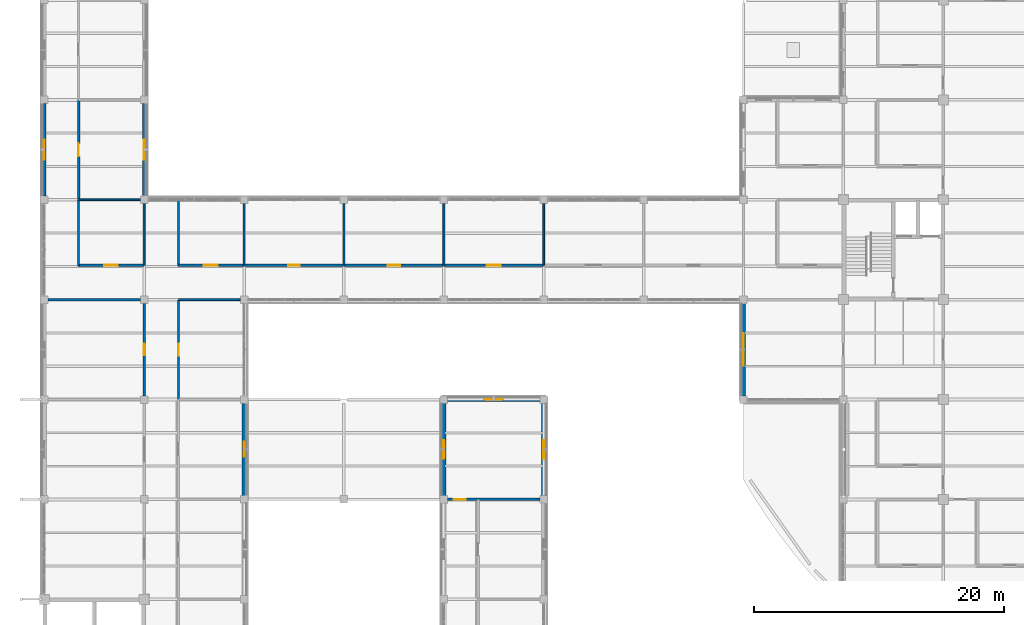
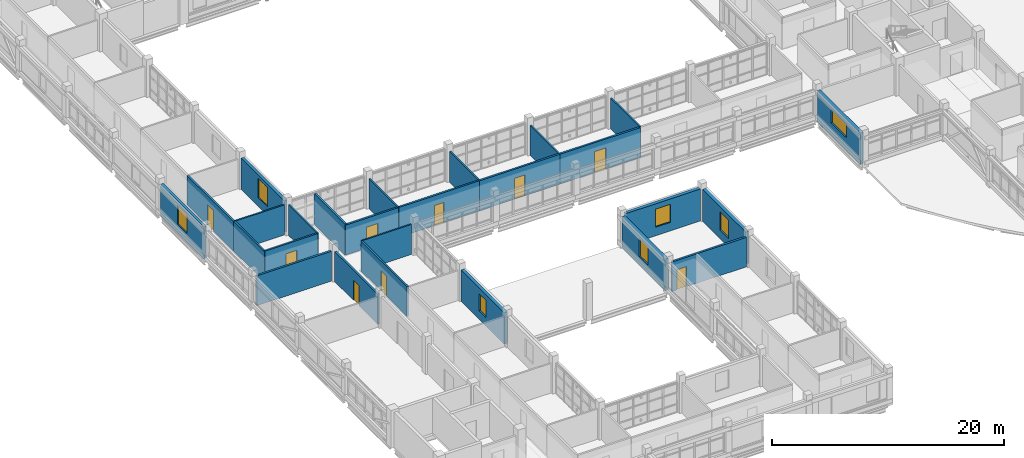
# One storey, part 89 of 126: 26 walls, 9 doors, 7 windows, 16 openings.
"""IFC4 building model written with IfcOpenShell, lengths in metres."""

from ifc_helpers import new_model, si_unit, derived_unit, direction, frame, frame_2d, origin, place, context, subcontext, project, spatial, rectangle, extrude, material, layer, layer_set, type_object, element, fill, save


model = new_model("IFC4")

# Units and contexts
model_context = context("Model", 3, precision=1e-05, world=origin(), true_north=direction((0.0, 1.0)))
body_context = subcontext(model_context, "Body", "Model", "MODEL_VIEW")
ifc_project = project(units=[si_unit("LENGTHUNIT", "METRE"), si_unit("AREAUNIT", "SQUARE_METRE"), si_unit("VOLUMEUNIT", "CUBIC_METRE"), si_unit("PLANEANGLEUNIT", "RADIAN"), si_unit("MASSUNIT", "GRAM", prefix="KILO"), derived_unit("THERMALTRANSMITTANCEUNIT", [(si_unit("MASSUNIT", "GRAM", prefix="KILO"), 1), (si_unit("TIMEUNIT", "SECOND"), -3), (si_unit("THERMODYNAMICTEMPERATUREUNIT", "KELVIN"), -1)])], contexts=[model_context])

# Site, building, storey
site_placement = place(None, origin())
site = spatial("IfcSite", under=ifc_project, at=site_placement, CompositionType="ELEMENT")
building_placement = place(site_placement, origin())
building = spatial("IfcBuilding", under=site, at=building_placement, Name="Veyamyaing Civic Hall", CompositionType="ELEMENT")
storey_placement = place(building_placement, frame((0.0, 0.0, 9.89990234375)))
storey = spatial("IfcBuildingStorey", under=building, at=storey_placement, Name="L02", CompositionType="ELEMENT", Elevation=9.89990234375)

# Wall, opening, window
ifc_material_1 = material(Name="Precast concrete C40/50", Category="concrete")
ifc_layer_1 = layer(ifc_material_1, 0.320068359375, Name="Precast concrete C40/50")
ifc_layer_set_1 = layer_set([ifc_layer_1], Name="Precast concrete C40/50")
wall_type_1 = type_object("IfcWallType", Name="WT-02", PredefinedType="SOLIDWALL", material=ifc_layer_set_1)
wall_1_placement = place(storey_placement, frame((16.0, 32.284912109375, 0.0), z_axis=(0.0, 0.0, 1.0), x_axis=(0.0, 1.0, 0.0)))
wall_1 = element("IfcWall", 1, at=wall_1_placement, inside=storey, type_object=wall_type_1, Name="Exterior facade wall WT-02 L02 E 2.5", PredefinedType="SOLIDWALL", context=body_context, shape_type="SweptSolid", body=[
    extrude(rectangle(XDim=7.43017578125, YDim=0.320068359375, at=frame_2d((3.715087890625, 0.0))), origin(), (0.0, 0.0, 1.0), 3.295166015625),
])
opening_1_placement = place(wall_1_placement, frame((3.114990234375, 0.0, 0.89990234375)))
opening_1 = element("IfcOpeningElement", 2, at=opening_1_placement, cuts=wall_1, Name="Opening W-14", PredefinedType="OPENING", context=body_context, shape_type="SweptSolid", body=[
    extrude(rectangle(XDim=1.199951171875, YDim=1.800048828125, at=frame_2d((0.60009765625, 0.89990234375))), frame((0.0, 0.169921875, 0.0), z_axis=(0.0, -1.0, 0.0), x_axis=(1.0, 0.0, 0.0)), (0.0, 0.0, 1.0), 0.340087890625),
])
ifc_material_2 = material(Name="Low-E insulated glass", Category="glass")
window_type_1 = type_object("IfcWindowType", Name="W-14", PartitioningType="SINGLE_PANEL", PredefinedType="WINDOW", material=ifc_material_2)
window_1_placement = place(opening_1_placement, origin())
window_1 = element("IfcWindow", 3, at=window_1_placement, inside=storey, type_object=window_type_1, Name="Facade window W-14 L02 E 2.5", OverallHeight=1.800048828125, OverallWidth=1.199951171875, PartitioningType="SINGLE_PANEL", PredefinedType="WINDOW", context=body_context, shape_type="SweptSolid", body=[
    extrude(rectangle(XDim=1.199951171875, YDim=1.800048828125, at=frame_2d((0.60009765625, 0.89990234375))), frame((0.0, 0.030029296875, 0.0), z_axis=(0.0, -1.0, 0.0), x_axis=(1.0, 0.0, 0.0)), (0.0, 0.0, 1.0), 0.06005859375),
])
fill(opening_1, window_1)

wall_2_placement = place(storey_placement, frame((32.284912109375, 40.0, 0.0), z_axis=(0.0, 0.0, 1.0), x_axis=(1.0, 0.0, 0.0)))
wall_2 = element("IfcWall", 4, at=wall_2_placement, inside=storey, type_object=wall_type_1, Name="Exterior facade wall WT-02 L02 N 5.5", PredefinedType="SOLIDWALL", context=body_context, shape_type="SweptSolid", body=[
    extrude(rectangle(XDim=7.43017578125, YDim=0.320068359375, at=frame_2d((3.715087890625, 0.0))), origin(), (0.0, 0.0, 1.0), 3.362060546875),
])
opening_2_placement = place(wall_2_placement, frame((2.965087890625, 0.0, 0.89990234375)))
opening_2 = element("IfcOpeningElement", 5, at=opening_2_placement, cuts=wall_2, Name="Opening W-12", PredefinedType="OPENING", context=body_context, shape_type="SweptSolid", body=[
    extrude(rectangle(XDim=1.5, YDim=1.89990234375, at=frame_2d((0.75, 0.949951171875))), frame((0.0, 0.169921875, 0.0), z_axis=(0.0, -1.0, 0.0), x_axis=(1.0, 0.0, 0.0)), (0.0, 0.0, 1.0), 0.340087890625),
])
window_type_2 = type_object("IfcWindowType", Name="W-12", PartitioningType="SINGLE_PANEL", PredefinedType="WINDOW", material=ifc_material_2)
window_2_placement = place(opening_2_placement, origin())
window_2 = element("IfcWindow", 6, at=window_2_placement, inside=storey, type_object=window_type_2, Name="Facade window W-12 L02 N 5.5", OverallHeight=1.89990234375, OverallWidth=1.5, PartitioningType="SINGLE_PANEL", PredefinedType="WINDOW", context=body_context, shape_type="SweptSolid", body=[
    extrude(rectangle(XDim=1.5, YDim=1.89990234375, at=frame_2d((0.75, 0.949951171875))), frame((0.0, 0.030029296875, 0.0), z_axis=(0.0, -1.0, 0.0), x_axis=(1.0, 0.0, 0.0)), (0.0, 0.0, 1.0), 0.06005859375),
])
fill(opening_2, window_2)

wall_3_placement = place(storey_placement, frame((32.0, 32.284912109375, 0.0), z_axis=(0.0, 0.0, 1.0), x_axis=(0.0, 1.0, 0.0)))
wall_3 = element("IfcWall", 7, at=wall_3_placement, inside=storey, type_object=wall_type_1, Name="Exterior facade wall WT-02 L02 W 5.5", PredefinedType="SOLIDWALL", context=body_context, shape_type="SweptSolid", body=[
    extrude(rectangle(XDim=7.43017578125, YDim=0.320068359375, at=frame_2d((3.715087890625, 0.0))), origin(), (0.0, 0.0, 1.0), 3.299072265625),
])
opening_3_placement = place(wall_3_placement, frame((2.965087890625, 0.0, 0.89990234375)))
opening_3 = element("IfcOpeningElement", 8, at=opening_3_placement, cuts=wall_3, Name="Opening W-12", PredefinedType="OPENING", context=body_context, shape_type="SweptSolid", body=[
    extrude(rectangle(XDim=1.5, YDim=1.89990234375, at=frame_2d((0.75, 0.949951171875))), frame((0.0, 0.169921875, 0.0), z_axis=(0.0, -1.0, 0.0), x_axis=(1.0, 0.0, 0.0)), (0.0, 0.0, 1.0), 0.340087890625),
])
window_3_placement = place(opening_3_placement, origin())
window_3 = element("IfcWindow", 9, at=window_3_placement, inside=storey, type_object=window_type_2, Name="Facade window W-12 L02 W 5.5", OverallHeight=1.89990234375, OverallWidth=1.5, PartitioningType="SINGLE_PANEL", PredefinedType="WINDOW", context=body_context, shape_type="SweptSolid", body=[
    extrude(rectangle(XDim=1.5, YDim=1.89990234375, at=frame_2d((0.75, 0.949951171875))), frame((0.0, 0.030029296875, 0.0), z_axis=(0.0, -1.0, 0.0), x_axis=(1.0, 0.0, 0.0)), (0.0, 0.0, 1.0), 0.06005859375),
])
fill(opening_3, window_3)

wall_4_placement = place(storey_placement, frame((40.0, 32.284912109375, 0.0), z_axis=(0.0, 0.0, 1.0), x_axis=(0.0, 1.0, 0.0)))
wall_4 = element("IfcWall", 10, at=wall_4_placement, inside=storey, type_object=wall_type_1, Name="Exterior facade wall WT-02 L02 E 5.5", PredefinedType="SOLIDWALL", context=body_context, shape_type="SweptSolid", body=[
    extrude(rectangle(XDim=7.43017578125, YDim=0.320068359375, at=frame_2d((3.715087890625, 0.0))), origin(), (0.0, 0.0, 1.0), 3.362060546875),
])
opening_4_placement = place(wall_4_placement, frame((2.965087890625, 0.0, 0.89990234375)))
opening_4 = element("IfcOpeningElement", 11, at=opening_4_placement, cuts=wall_4, Name="Opening W-12", PredefinedType="OPENING", context=body_context, shape_type="SweptSolid", body=[
    extrude(rectangle(XDim=1.5, YDim=1.89990234375, at=frame_2d((0.75, 0.949951171875))), frame((0.0, 0.169921875, 0.0), z_axis=(0.0, -1.0, 0.0), x_axis=(1.0, 0.0, 0.0)), (0.0, 0.0, 1.0), 0.340087890625),
])
window_4_placement = place(opening_4_placement, origin())
window_4 = element("IfcWindow", 12, at=window_4_placement, inside=storey, type_object=window_type_2, Name="Facade window W-12 L02 E 5.5", OverallHeight=1.89990234375, OverallWidth=1.5, PartitioningType="SINGLE_PANEL", PredefinedType="WINDOW", context=body_context, shape_type="SweptSolid", body=[
    extrude(rectangle(XDim=1.5, YDim=1.89990234375, at=frame_2d((0.75, 0.949951171875))), frame((0.0, 0.030029296875, 0.0), z_axis=(0.0, -1.0, 0.0), x_axis=(1.0, 0.0, 0.0)), (0.0, 0.0, 1.0), 0.06005859375),
])
fill(opening_4, window_4)

ifc_layer_2 = layer(ifc_material_1, 0.304931640625, Name="Precast concrete C40/50")
ifc_layer_set_2 = layer_set([ifc_layer_2], Name="Precast concrete C40/50")
wall_type_2 = type_object("IfcWallType", Name="WT-03", PredefinedType="SOLIDWALL", material=ifc_layer_set_2)
wall_5_placement = place(storey_placement, frame((56.0, 40.284912109375, 0.0), z_axis=(0.0, 0.0, 1.0), x_axis=(0.0, 1.0, 0.0)))
wall_5 = element("IfcWall", 13, at=wall_5_placement, inside=storey, type_object=wall_type_2, Name="Exterior facade wall WT-03 L02 W 8.6", PredefinedType="SOLIDWALL", context=body_context, shape_type="SweptSolid", body=[
    extrude(rectangle(XDim=7.43017578125, YDim=0.304931640625, at=frame_2d((3.715087890625, 0.0))), origin(), (0.0, 0.0, 1.0), 3.2841796875),
])
opening_5_placement = place(wall_5_placement, frame((2.4150390625, 0.0, 1.35009765625)))
opening_5 = element("IfcOpeningElement", 14, at=opening_5_placement, cuts=wall_5, Name="Opening W-17", PredefinedType="OPENING", context=body_context, shape_type="SweptSolid", body=[
    extrude(rectangle(XDim=2.60009765625, YDim=1.39990234375, at=frame_2d((1.300048828125, 0.699951171875))), frame((0.0, 0.162353515625, 0.0), z_axis=(0.0, -1.0, 0.0), x_axis=(1.0, 0.0, 0.0)), (0.0, 0.0, 1.0), 0.324951171875),
])
window_type_3 = type_object("IfcWindowType", Name="W-17", PartitioningType="SINGLE_PANEL", PredefinedType="WINDOW", material=ifc_material_2)
window_5_placement = place(opening_5_placement, origin())
window_5 = element("IfcWindow", 15, at=window_5_placement, inside=storey, type_object=window_type_3, Name="Facade window W-17 L02 W 8.6", OverallHeight=1.39990234375, OverallWidth=2.60009765625, PartitioningType="SINGLE_PANEL", PredefinedType="WINDOW", context=body_context, shape_type="SweptSolid", body=[
    extrude(rectangle(XDim=2.60009765625, YDim=1.39990234375, at=frame_2d((1.300048828125, 0.699951171875))), frame((0.0, 0.030029296875, 0.0), z_axis=(0.0, -1.0, 0.0), x_axis=(1.0, 0.0, 0.0)), (0.0, 0.0, 1.0), 0.06005859375),
])
fill(opening_5, window_5)

ifc_layer_3 = layer(ifc_material_1, 0.280029296875, Name="Precast concrete C40/50")
ifc_layer_set_3 = layer_set([ifc_layer_3], Name="Precast concrete C40/50")
wall_type_3 = type_object("IfcWallType", Name="WT-04", PredefinedType="SOLIDWALL", material=ifc_layer_set_3)
wall_6_placement = place(storey_placement, frame((0.0, 56.284912109375, 0.0), z_axis=(0.0, 0.0, 1.0), x_axis=(0.0, 1.0, 0.0)))
wall_6 = element("IfcWall", 16, at=wall_6_placement, inside=storey, type_object=wall_type_3, Name="Exterior facade wall WT-04 L02 W 1.8", PredefinedType="SOLIDWALL", context=body_context, shape_type="SweptSolid", body=[
    extrude(rectangle(XDim=7.43017578125, YDim=0.280029296875, at=frame_2d((3.715087890625, 0.0))), origin(), (0.0, 0.0, 1.0), 3.343994140625),
])
opening_6_placement = place(wall_6_placement, frame((2.9150390625, 0.0, 0.89990234375)))
opening_6 = element("IfcOpeningElement", 17, at=opening_6_placement, cuts=wall_6, Name="Opening W-11", PredefinedType="OPENING", context=body_context, shape_type="SweptSolid", body=[
    extrude(rectangle(XDim=1.60009765625, YDim=2.0, at=frame_2d((0.800048828125, 1.0))), frame((0.0, 0.14990234375, 0.0), z_axis=(0.0, -1.0, 0.0), x_axis=(1.0, 0.0, 0.0)), (0.0, 0.0, 1.0), 0.300048828125),
])
window_type_4 = type_object("IfcWindowType", Name="W-11", PartitioningType="SINGLE_PANEL", PredefinedType="WINDOW", material=ifc_material_2)
window_6_placement = place(opening_6_placement, origin())
window_6 = element("IfcWindow", 18, at=window_6_placement, inside=storey, type_object=window_type_4, Name="Facade window W-11 L02 W 1.8", OverallHeight=2.0, OverallWidth=1.60009765625, PartitioningType="SINGLE_PANEL", PredefinedType="WINDOW", context=body_context, shape_type="SweptSolid", body=[
    extrude(rectangle(XDim=1.60009765625, YDim=2.0, at=frame_2d((0.800048828125, 1.0))), frame((0.0, 0.030029296875, 0.0), z_axis=(0.0, -1.0, 0.0), x_axis=(1.0, 0.0, 0.0)), (0.0, 0.0, 1.0), 0.06005859375),
])
fill(opening_6, window_6)

wall_7_placement = place(storey_placement, frame((8.0, 56.284912109375, 0.0), z_axis=(0.0, 0.0, 1.0), x_axis=(0.0, 1.0, 0.0)))
wall_7 = element("IfcWall", 19, at=wall_7_placement, inside=storey, type_object=wall_type_3, Name="Exterior facade wall WT-04 L02 E 1.8", PredefinedType="SOLIDWALL", context=body_context, shape_type="SweptSolid", body=[
    extrude(rectangle(XDim=7.43017578125, YDim=0.280029296875, at=frame_2d((3.715087890625, 0.0))), origin(), (0.0, 0.0, 1.0), 3.2841796875),
])
opening_7_placement = place(wall_7_placement, frame((2.9150390625, 0.0, 0.89990234375)))
opening_7 = element("IfcOpeningElement", 20, at=opening_7_placement, cuts=wall_7, Name="Opening W-11", PredefinedType="OPENING", context=body_context, shape_type="SweptSolid", body=[
    extrude(rectangle(XDim=1.60009765625, YDim=2.0, at=frame_2d((0.800048828125, 1.0))), frame((0.0, 0.14990234375, 0.0), z_axis=(0.0, -1.0, 0.0), x_axis=(1.0, 0.0, 0.0)), (0.0, 0.0, 1.0), 0.300048828125),
])
window_7_placement = place(opening_7_placement, origin())
window_7 = element("IfcWindow", 21, at=window_7_placement, inside=storey, type_object=window_type_4, Name="Facade window W-11 L02 E 1.8", OverallHeight=2.0, OverallWidth=1.60009765625, PartitioningType="SINGLE_PANEL", PredefinedType="WINDOW", context=body_context, shape_type="SweptSolid", body=[
    extrude(rectangle(XDim=1.60009765625, YDim=2.0, at=frame_2d((0.800048828125, 1.0))), frame((0.0, 0.030029296875, 0.0), z_axis=(0.0, -1.0, 0.0), x_axis=(1.0, 0.0, 0.0)), (0.0, 0.0, 1.0), 0.06005859375),
])
fill(opening_7, window_7)

# Wall, opening, door
ifc_material_3 = material(Name="Concrete C40/50", Category="concrete")
ifc_layer_4 = layer(ifc_material_3, 0.199951171875, Name="Concrete C40/50")
ifc_layer_set_4 = layer_set([ifc_layer_4], Name="Concrete C40/50")
wall_type_4 = type_object("IfcWallType", Name="WT-06", PredefinedType="PARTITIONING", material=ifc_layer_set_4)
wall_8_placement = place(storey_placement, frame((8.0, 40.2900390625, 0.0), z_axis=(0.0, 0.0, 1.0), x_axis=(0.0, 1.0, 0.0)))
wall_8 = element("IfcWall", 22, at=wall_8_placement, inside=storey, type_object=wall_type_4, Name="Interior partition wall WT-06 L02.6", PredefinedType="PARTITIONING", context=body_context, shape_type="SweptSolid", body=[
    extrude(rectangle(XDim=7.419921875, YDim=0.199951171875, at=frame_2d((3.7099609375, 0.0))), origin(), (0.0, 0.0, 1.0), 3.151123046875),
])
opening_8_placement = place(wall_8_placement, frame((3.239990234375, 0.0, 0.0)))
opening_8 = element("IfcOpeningElement", 23, at=opening_8_placement, cuts=wall_8, Name="Opening D-30", PredefinedType="OPENING", context=body_context, shape_type="SweptSolid", body=[
    extrude(rectangle(XDim=0.93994140625, YDim=2.1201171875, at=frame_2d((0.469970703125, 1.06005859375))), frame((0.0, 0.10986328125, 0.0), z_axis=(0.0, -1.0, 0.0), x_axis=(1.0, 0.0, 0.0)), (0.0, 0.0, 1.0), 0.219970703125),
])
ifc_material_4 = material(Name="Teak-veneered acoustic timber", Category="wood")
door_type_1 = type_object("IfcDoorType", Name="D-30", OperationType="NOTDEFINED", PredefinedType="DOOR", material=ifc_material_4)
door_1_placement = place(opening_8_placement, origin())
door_1 = element("IfcDoor", 24, at=door_1_placement, inside=storey, type_object=door_type_1, Name="Interior door D-30 L02.6", OperationType="SINGLE_SWING_RIGHT", OverallHeight=2.1201171875, OverallWidth=0.93994140625, PredefinedType="DOOR", context=body_context, shape_type="SweptSolid", body=[
    extrude(rectangle(XDim=0.93994140625, YDim=2.1201171875, at=frame_2d((0.469970703125, 1.06005859375))), frame((0.0, 0.02490234375, 0.0), z_axis=(0.0, -1.0, 0.0), x_axis=(1.0, 0.0, 0.0)), (0.0, 0.0, 1.0), 0.050048828125),
])
fill(opening_8, door_1)

# Wall
wall_9_placement = place(storey_placement, frame((0.2900390625, 48.0, 0.0), z_axis=(0.0, 0.0, 1.0), x_axis=(1.0, 0.0, 0.0)))
element("IfcWall", 25, at=wall_9_placement, inside=storey, type_object=wall_type_4, Name="Interior partition wall WT-06 L02.7", PredefinedType="PARTITIONING", context=body_context, shape_type="SweptSolid", body=[
    extrude(rectangle(XDim=7.419921875, YDim=0.199951171875, at=frame_2d((3.7099609375, 0.0))), origin(), (0.0, 0.0, 1.0), 3.14111328125),
])

# Wall, opening, door
wall_10_placement = place(storey_placement, frame((32.2900390625, 32.0, 0.0), z_axis=(0.0, 0.0, 1.0), x_axis=(1.0, 0.0, 0.0)))
wall_10 = element("IfcWall", 26, at=wall_10_placement, inside=storey, type_object=wall_type_4, Name="Interior partition wall WT-06 L02.18", PredefinedType="PARTITIONING", context=body_context, shape_type="SweptSolid", body=[
    extrude(rectangle(XDim=7.419921875, YDim=0.199951171875, at=frame_2d((3.7099609375, 0.0))), origin(), (0.0, 0.0, 1.0), 3.09716796875),
])
opening_9_placement = place(wall_10_placement, frame((0.52001953125, 0.0, 0.0)))
opening_9 = element("IfcOpeningElement", 27, at=opening_9_placement, cuts=wall_10, Name="Opening D-30", PredefinedType="OPENING", context=body_context, shape_type="SweptSolid", body=[
    extrude(rectangle(XDim=0.93994140625, YDim=2.1201171875, at=frame_2d((0.469970703125, 1.06005859375))), frame((0.0, 0.10986328125, 0.0), z_axis=(0.0, -1.0, 0.0), x_axis=(1.0, 0.0, 0.0)), (0.0, 0.0, 1.0), 0.219970703125),
])
door_2_placement = place(opening_9_placement, origin())
door_2 = element("IfcDoor", 28, at=door_2_placement, inside=storey, type_object=door_type_1, Name="Interior door D-30 L02.18", OperationType="SINGLE_SWING_RIGHT", OverallHeight=2.1201171875, OverallWidth=0.93994140625, PredefinedType="DOOR", context=body_context, shape_type="SweptSolid", body=[
    extrude(rectangle(XDim=0.93994140625, YDim=2.1201171875, at=frame_2d((0.469970703125, 1.06005859375))), frame((0.0, 0.02490234375, 0.0), z_axis=(0.0, -1.0, 0.0), x_axis=(1.0, 0.0, 0.0)), (0.0, 0.0, 1.0), 0.050048828125),
])
fill(opening_9, door_2)

ifc_material_5 = material(Name="Gypsum board on acoustic steel stud", Category="steel")
ifc_layer_5 = layer(ifc_material_5, 0.175048828125, Name="Gypsum board on acoustic steel stud")
ifc_layer_set_5 = layer_set([ifc_layer_5], Name="Gypsum board on acoustic steel stud")
wall_type_5 = type_object("IfcWallType", Name="WT-07", PredefinedType="PARTITIONING", material=ifc_layer_set_5)
wall_11_placement = place(storey_placement, frame((2.699951171875, 50.75, 0.0), z_axis=(0.0, 0.0, 1.0), x_axis=(1.0, 0.0, 0.0)))
wall_11 = element("IfcWall", 29, at=wall_11_placement, inside=storey, type_object=wall_type_5, Name="Corridor gallery partition WT-07 L02.1.1", PredefinedType="PARTITIONING", context=body_context, shape_type="SweptSolid", body=[
    extrude(rectangle(XDim=5.280029296875, YDim=0.175048828125, at=frame_2d((2.64013671875, 0.0))), origin(), (0.0, 0.0, 1.0), 3.22119140625),
])
opening_10_placement = place(wall_11_placement, frame((2.10009765625, 0.0, 0.0)))
opening_10 = element("IfcOpeningElement", 30, at=opening_10_placement, cuts=wall_11, Name="Opening D-23", PredefinedType="OPENING", context=body_context, shape_type="SweptSolid", body=[
    extrude(rectangle(XDim=1.080078125, YDim=2.199951171875, at=frame_2d((0.5400390625, 1.10009765625))), frame((0.0, 0.097412109375, 0.0), z_axis=(0.0, -1.0, 0.0), x_axis=(1.0, 0.0, 0.0)), (0.0, 0.0, 1.0), 0.195068359375),
])
door_type_2 = type_object("IfcDoorType", Name="D-23", OperationType="NOTDEFINED", PredefinedType="DOOR", material=ifc_material_4)
door_3_placement = place(opening_10_placement, origin())
door_3 = element("IfcDoor", 31, at=door_3_placement, inside=storey, type_object=door_type_2, Name="Gallery office door D-23 L02.1", OperationType="SINGLE_SWING_LEFT", OverallHeight=2.199951171875, OverallWidth=1.080078125, PredefinedType="DOOR", context=body_context, shape_type="SweptSolid", body=[
    extrude(rectangle(XDim=1.080078125, YDim=2.199951171875, at=frame_2d((0.5400390625, 1.10009765625))), frame((0.0, 0.02490234375, 0.0), z_axis=(0.0, -1.0, 0.0), x_axis=(1.0, 0.0, 0.0)), (0.0, 0.0, 1.0), 0.050048828125),
])
fill(opening_10, door_3)

# Wall
wall_12_placement = place(storey_placement, frame((2.75, 50.699951171875, 0.0), z_axis=(0.0, 0.0, 1.0), x_axis=(0.0, 1.0, 0.0)))
element("IfcWall", 32, at=wall_12_placement, inside=storey, type_object=wall_type_5, Name="Corridor gallery partition WT-07 L02.1.2", PredefinedType="PARTITIONING", context=body_context, shape_type="SweptSolid", body=[
    extrude(rectangle(XDim=5.280029296875, YDim=0.175048828125, at=frame_2d((2.64013671875, 0.0))), origin(), (0.0, 0.0, 1.0), 3.151123046875),
])

# Wall, opening, door
wall_13_placement = place(storey_placement, frame((10.75, 40.02001953125, 0.0), z_axis=(0.0, 0.0, 1.0), x_axis=(0.0, 1.0, 0.0)))
wall_13 = element("IfcWall", 33, at=wall_13_placement, inside=storey, type_object=wall_type_5, Name="Corridor gallery partition WT-07 L02.13.1", PredefinedType="PARTITIONING", context=body_context, shape_type="SweptSolid", body=[
    extrude(rectangle(XDim=7.9599609375, YDim=0.175048828125, at=frame_2d((3.97998046875, 0.0))), origin(), (0.0, 0.0, 1.0), 3.14111328125),
])
opening_11_placement = place(wall_13_placement, frame((3.5, 0.0, 0.0)))
opening_11 = element("IfcOpeningElement", 34, at=opening_11_placement, cuts=wall_13, Name="Opening D-25", PredefinedType="OPENING", context=body_context, shape_type="SweptSolid", body=[
    extrude(rectangle(XDim=0.9599609375, YDim=2.139892578125, at=frame_2d((0.47998046875, 1.06982421875))), frame((0.0, 0.097412109375, 0.0), z_axis=(0.0, -1.0, 0.0), x_axis=(1.0, 0.0, 0.0)), (0.0, 0.0, 1.0), 0.195068359375),
])
door_type_3 = type_object("IfcDoorType", Name="D-25", OperationType="NOTDEFINED", PredefinedType="DOOR", material=ifc_material_4)
door_4_placement = place(opening_11_placement, frame((0.9599609375, 0.0, 0.0), z_axis=(0.0, 0.0, 1.0), x_axis=(-1.0, 0.0, 0.0)))
door_4 = element("IfcDoor", 35, at=door_4_placement, inside=storey, type_object=door_type_3, Name="Gallery office door D-25 L02.13", OperationType="SINGLE_SWING_LEFT", OverallHeight=2.139892578125, OverallWidth=0.9599609375, PredefinedType="DOOR", context=body_context, shape_type="SweptSolid", body=[
    extrude(rectangle(XDim=0.9599609375, YDim=2.139892578125, at=frame_2d((0.47998046875, 1.06982421875))), frame((0.0, 0.02490234375, 0.0), z_axis=(0.0, -1.0, 0.0), x_axis=(1.0, 0.0, 0.0)), (0.0, 0.0, 1.0), 0.050048828125),
])
fill(opening_11, door_4)

# Walls
ifc_material_6 = material(Name="Gypsum board on steel stud", Category="steel")
ifc_layer_6 = layer(ifc_material_6, 0.14990234375, Name="Gypsum board on steel stud")
ifc_layer_set_6 = layer_set([ifc_layer_6], Name="Gypsum board on steel stud")
wall_type_6 = type_object("IfcWallType", Name="WT-08", PredefinedType="PARTITIONING", material=ifc_layer_set_6)
wall_14_placement = place(storey_placement, frame((2.75, 56.0, 0.0), z_axis=(0.0, 0.0, 1.0), x_axis=(1.0, 0.0, 0.0)))
element("IfcWall", 36, at=wall_14_placement, inside=storey, type_object=wall_type_6, Name="Gallery office end partition WT-08 L02.1.1", PredefinedType="PARTITIONING", context=body_context, shape_type="SweptSolid", body=[
    extrude(rectangle(XDim=4.93994140625, YDim=0.14990234375, at=frame_2d((2.469970703125, 0.0))), origin(), (0.0, 0.0, 1.0), 3.151123046875),
])
wall_15_placement = place(storey_placement, frame((8.0, 50.75, 0.0), z_axis=(0.0, 0.0, 1.0), x_axis=(0.0, 1.0, 0.0)))
element("IfcWall", 37, at=wall_15_placement, inside=storey, type_object=wall_type_6, Name="Gallery office end partition WT-08 L02.1.2", PredefinedType="PARTITIONING", context=body_context, shape_type="SweptSolid", body=[
    extrude(rectangle(XDim=4.93994140625, YDim=0.14990234375, at=frame_2d((2.469970703125, 0.0))), origin(), (0.0, 0.0, 1.0), 3.22119140625),
])
wall_16_placement = place(storey_placement, frame((10.75, 48.0, 0.0), z_axis=(0.0, 0.0, 1.0), x_axis=(1.0, 0.0, 0.0)))
element("IfcWall", 38, at=wall_16_placement, inside=storey, type_object=wall_type_6, Name="Gallery office end partition WT-08 L02.13.2", PredefinedType="PARTITIONING", context=body_context, shape_type="SweptSolid", body=[
    extrude(rectangle(XDim=4.93994140625, YDim=0.14990234375, at=frame_2d((2.469970703125, 0.0))), origin(), (0.0, 0.0, 1.0), 3.151123046875),
])
wall_17_placement = place(storey_placement, frame((16.0, 50.75, 0.0), z_axis=(0.0, 0.0, 1.0), x_axis=(0.0, 1.0, 0.0)))
element("IfcWall", 39, at=wall_17_placement, inside=storey, type_object=wall_type_6, Name="Gallery office end partition WT-08 L02.14.2", PredefinedType="PARTITIONING", context=body_context, shape_type="SweptSolid", body=[
    extrude(rectangle(XDim=4.93994140625, YDim=0.14990234375, at=frame_2d((2.469970703125, 0.0))), origin(), (0.0, 0.0, 1.0), 3.156982421875),
])
wall_18_placement = place(storey_placement, frame((24.0, 50.75, 0.0), z_axis=(0.0, 0.0, 1.0), x_axis=(0.0, 1.0, 0.0)))
element("IfcWall", 40, at=wall_18_placement, inside=storey, type_object=wall_type_6, Name="Gallery office end partition WT-08 L02.16.2", PredefinedType="PARTITIONING", context=body_context, shape_type="SweptSolid", body=[
    extrude(rectangle(XDim=4.93994140625, YDim=0.14990234375, at=frame_2d((2.469970703125, 0.0))), origin(), (0.0, 0.0, 1.0), 3.22705078125),
])
wall_19_placement = place(storey_placement, frame((32.0, 50.75, 0.0), z_axis=(0.0, 0.0, 1.0), x_axis=(0.0, 1.0, 0.0)))
element("IfcWall", 41, at=wall_19_placement, inside=storey, type_object=wall_type_6, Name="Gallery office end partition WT-08 L02.20.2", PredefinedType="PARTITIONING", context=body_context, shape_type="SweptSolid", body=[
    extrude(rectangle(XDim=4.93994140625, YDim=0.14990234375, at=frame_2d((2.469970703125, 0.0))), origin(), (0.0, 0.0, 1.0), 3.151123046875),
])
wall_20_placement = place(storey_placement, frame((40.0, 50.75, 0.0), z_axis=(0.0, 0.0, 1.0), x_axis=(0.0, 1.0, 0.0)))
element("IfcWall", 42, at=wall_20_placement, inside=storey, type_object=wall_type_6, Name="Gallery office end partition WT-08 L02.24.2", PredefinedType="PARTITIONING", context=body_context, shape_type="SweptSolid", body=[
    extrude(rectangle(XDim=4.93994140625, YDim=0.14990234375, at=frame_2d((2.469970703125, 0.0))), origin(), (0.0, 0.0, 1.0), 3.22119140625),
])

# Wall, opening, door
ifc_material_7 = material(Name="Gypsum board on double acoustic stud")
ifc_layer_7 = layer(ifc_material_7, 0.18505859375, Name="Gypsum board on double acoustic stud")
ifc_layer_set_7 = layer_set([ifc_layer_7], Name="Gypsum board on double acoustic stud")
wall_type_7 = type_object("IfcWallType", Name="WT-19", PredefinedType="PARTITIONING", material=ifc_layer_set_7)
wall_21_placement = place(storey_placement, frame((2.75, 56.02001953125, 0.0), z_axis=(0.0, 0.0, 1.0), x_axis=(0.0, 1.0, 0.0)))
wall_21 = element("IfcWall", 43, at=wall_21_placement, inside=storey, type_object=wall_type_7, Name="Corridor gallery partition WT-19 L02.2.1", PredefinedType="PARTITIONING", context=body_context, shape_type="SweptSolid", body=[
    extrude(rectangle(XDim=7.9599609375, YDim=0.18505859375, at=frame_2d((3.97998046875, 0.0))), origin(), (0.0, 0.0, 1.0), 3.08203125),
])
opening_12_placement = place(wall_21_placement, frame((3.4599609375, 0.0, 0.0)))
opening_12 = element("IfcOpeningElement", 44, at=opening_12_placement, cuts=wall_21, Name="Opening D-24", PredefinedType="OPENING", context=body_context, shape_type="SweptSolid", body=[
    extrude(rectangle(XDim=1.0400390625, YDim=2.179931640625, at=frame_2d((0.52001953125, 1.08984375))), frame((0.0, 0.1025390625, 0.0), z_axis=(0.0, -1.0, 0.0), x_axis=(1.0, 0.0, 0.0)), (0.0, 0.0, 1.0), 0.205078125),
])
door_type_4 = type_object("IfcDoorType", Name="D-24", OperationType="NOTDEFINED", PredefinedType="DOOR", material=ifc_material_4)
door_5_placement = place(opening_12_placement, frame((1.0400390625, 0.0, 0.0), z_axis=(0.0, 0.0, 1.0), x_axis=(-1.0, 0.0, 0.0)))
door_5 = element("IfcDoor", 45, at=door_5_placement, inside=storey, type_object=door_type_4, Name="Gallery office door D-24 L02.2", OperationType="SINGLE_SWING_RIGHT", OverallHeight=2.179931640625, OverallWidth=1.0400390625, PredefinedType="DOOR", context=body_context, shape_type="SweptSolid", body=[
    extrude(rectangle(XDim=1.0400390625, YDim=2.179931640625, at=frame_2d((0.52001953125, 1.08984375))), frame((0.0, 0.02490234375, 0.0), z_axis=(0.0, -1.0, 0.0), x_axis=(1.0, 0.0, 0.0)), (0.0, 0.0, 1.0), 0.050048828125),
])
fill(opening_12, door_5)

wall_22_placement = place(storey_placement, frame((10.699951171875, 50.75, 0.0), z_axis=(0.0, 0.0, 1.0), x_axis=(1.0, 0.0, 0.0)))
wall_22 = element("IfcWall", 46, at=wall_22_placement, inside=storey, type_object=wall_type_7, Name="Corridor gallery partition WT-19 L02.14.1", PredefinedType="PARTITIONING", context=body_context, shape_type="SweptSolid", body=[
    extrude(rectangle(XDim=5.280029296875, YDim=0.18505859375, at=frame_2d((2.64013671875, 0.0))), origin(), (0.0, 0.0, 1.0), 3.156982421875),
])
opening_13_placement = place(wall_22_placement, frame((2.080078125, 0.0, 0.0)))
opening_13 = element("IfcOpeningElement", 47, at=opening_13_placement, cuts=wall_22, Name="Opening D-26", PredefinedType="OPENING", context=body_context, shape_type="SweptSolid", body=[
    extrude(rectangle(XDim=1.1201171875, YDim=2.219970703125, at=frame_2d((0.56005859375, 1.10986328125))), frame((0.0, 0.1025390625, 0.0), z_axis=(0.0, -1.0, 0.0), x_axis=(1.0, 0.0, 0.0)), (0.0, 0.0, 1.0), 0.205078125),
])
door_type_5 = type_object("IfcDoorType", Name="D-26", OperationType="NOTDEFINED", PredefinedType="DOOR", material=ifc_material_4)
door_6_placement = place(opening_13_placement, origin())
door_6 = element("IfcDoor", 48, at=door_6_placement, inside=storey, type_object=door_type_5, Name="Gallery office door D-26 L02.14", OperationType="SINGLE_SWING_RIGHT", OverallHeight=2.219970703125, OverallWidth=1.1201171875, PredefinedType="DOOR", context=body_context, shape_type="SweptSolid", body=[
    extrude(rectangle(XDim=1.1201171875, YDim=2.219970703125, at=frame_2d((0.56005859375, 1.10986328125))), frame((0.0, 0.02490234375, 0.0), z_axis=(0.0, -1.0, 0.0), x_axis=(1.0, 0.0, 0.0)), (0.0, 0.0, 1.0), 0.050048828125),
])
fill(opening_13, door_6)

# Wall
wall_23_placement = place(storey_placement, frame((10.75, 50.699951171875, 0.0), z_axis=(0.0, 0.0, 1.0), x_axis=(0.0, 1.0, 0.0)))
element("IfcWall", 49, at=wall_23_placement, inside=storey, type_object=wall_type_7, Name="Corridor gallery partition WT-19 L02.14.2", PredefinedType="PARTITIONING", context=body_context, shape_type="SweptSolid", body=[
    extrude(rectangle(XDim=5.280029296875, YDim=0.18505859375, at=frame_2d((2.64013671875, 0.0))), origin(), (0.0, 0.0, 1.0), 3.277099609375),
])

# Wall, opening, door
wall_24_placement = place(storey_placement, frame((16.02001953125, 50.75, 0.0), z_axis=(0.0, 0.0, 1.0), x_axis=(1.0, 0.0, 0.0)))
wall_24 = element("IfcWall", 50, at=wall_24_placement, inside=storey, type_object=wall_type_7, Name="Corridor gallery partition WT-19 L02.16.1", PredefinedType="PARTITIONING", context=body_context, shape_type="SweptSolid", body=[
    extrude(rectangle(XDim=7.9599609375, YDim=0.18505859375, at=frame_2d((3.97998046875, 0.0))), origin(), (0.0, 0.0, 1.0), 3.156982421875),
])
opening_14_placement = place(wall_24_placement, frame((3.510009765625, 0.0, 0.0)))
opening_14 = element("IfcOpeningElement", 51, at=opening_14_placement, cuts=wall_24, Name="Opening D-30", PredefinedType="OPENING", context=body_context, shape_type="SweptSolid", body=[
    extrude(rectangle(XDim=0.93994140625, YDim=2.1201171875, at=frame_2d((0.469970703125, 1.06005859375))), frame((0.0, 0.1025390625, 0.0), z_axis=(0.0, -1.0, 0.0), x_axis=(1.0, 0.0, 0.0)), (0.0, 0.0, 1.0), 0.205078125),
])
door_7_placement = place(opening_14_placement, origin())
door_7 = element("IfcDoor", 52, at=door_7_placement, inside=storey, type_object=door_type_1, Name="Gallery office door D-30 L02.16", OperationType="SINGLE_SWING_RIGHT", OverallHeight=2.1201171875, OverallWidth=0.93994140625, PredefinedType="DOOR", context=body_context, shape_type="SweptSolid", body=[
    extrude(rectangle(XDim=0.93994140625, YDim=2.1201171875, at=frame_2d((0.469970703125, 1.06005859375))), frame((0.0, 0.02490234375, 0.0), z_axis=(0.0, -1.0, 0.0), x_axis=(1.0, 0.0, 0.0)), (0.0, 0.0, 1.0), 0.050048828125),
])
fill(opening_14, door_7)

wall_25_placement = place(storey_placement, frame((24.02001953125, 50.75, 0.0), z_axis=(0.0, 0.0, 1.0), x_axis=(1.0, 0.0, 0.0)))
wall_25 = element("IfcWall", 53, at=wall_25_placement, inside=storey, type_object=wall_type_7, Name="Corridor gallery partition WT-19 L02.20.1", PredefinedType="PARTITIONING", context=body_context, shape_type="SweptSolid", body=[
    extrude(rectangle(XDim=7.9599609375, YDim=0.18505859375, at=frame_2d((3.97998046875, 0.0))), origin(), (0.0, 0.0, 1.0), 3.151123046875),
])
opening_15_placement = place(wall_25_placement, frame((3.469970703125, 0.0, 0.0)))
opening_15 = element("IfcOpeningElement", 54, at=opening_15_placement, cuts=wall_25, Name="Opening D-19", PredefinedType="OPENING", context=body_context, shape_type="SweptSolid", body=[
    extrude(rectangle(XDim=1.02001953125, YDim=2.199951171875, at=frame_2d((0.510009765625, 1.10009765625))), frame((0.0, 0.1025390625, 0.0), z_axis=(0.0, -1.0, 0.0), x_axis=(1.0, 0.0, 0.0)), (0.0, 0.0, 1.0), 0.205078125),
])
door_type_6 = type_object("IfcDoorType", Name="D-19", OperationType="NOTDEFINED", PredefinedType="DOOR", material=ifc_material_4)
door_8_placement = place(opening_15_placement, origin())
door_8 = element("IfcDoor", 55, at=door_8_placement, inside=storey, type_object=door_type_6, Name="Gallery office door D-19 L02.20", OperationType="SINGLE_SWING_RIGHT", OverallHeight=2.199951171875, OverallWidth=1.02001953125, PredefinedType="DOOR", context=body_context, shape_type="SweptSolid", body=[
    extrude(rectangle(XDim=1.02001953125, YDim=2.199951171875, at=frame_2d((0.510009765625, 1.10009765625))), frame((0.0, 0.02490234375, 0.0), z_axis=(0.0, -1.0, 0.0), x_axis=(1.0, 0.0, 0.0)), (0.0, 0.0, 1.0), 0.050048828125),
])
fill(opening_15, door_8)

wall_26_placement = place(storey_placement, frame((32.02001953125, 50.75, 0.0), z_axis=(0.0, 0.0, 1.0), x_axis=(1.0, 0.0, 0.0)))
wall_26 = element("IfcWall", 56, at=wall_26_placement, inside=storey, type_object=wall_type_7, Name="Corridor gallery partition WT-19 L02.24.1", PredefinedType="PARTITIONING", context=body_context, shape_type="SweptSolid", body=[
    extrude(rectangle(XDim=7.9599609375, YDim=0.18505859375, at=frame_2d((3.97998046875, 0.0))), origin(), (0.0, 0.0, 1.0), 3.151123046875),
])
opening_16_placement = place(wall_26_placement, frame((3.419921875, 0.0, 0.0)))
opening_16 = element("IfcOpeningElement", 57, at=opening_16_placement, cuts=wall_26, Name="Opening D-26", PredefinedType="OPENING", context=body_context, shape_type="SweptSolid", body=[
    extrude(rectangle(XDim=1.1201171875, YDim=2.219970703125, at=frame_2d((0.56005859375, 1.10986328125))), frame((0.0, 0.1025390625, 0.0), z_axis=(0.0, -1.0, 0.0), x_axis=(1.0, 0.0, 0.0)), (0.0, 0.0, 1.0), 0.205078125),
])
door_9_placement = place(opening_16_placement, origin())
door_9 = element("IfcDoor", 58, at=door_9_placement, inside=storey, type_object=door_type_5, Name="Gallery office door D-26 L02.24", OperationType="SINGLE_SWING_RIGHT", OverallHeight=2.219970703125, OverallWidth=1.1201171875, PredefinedType="DOOR", context=body_context, shape_type="SweptSolid", body=[
    extrude(rectangle(XDim=1.1201171875, YDim=2.219970703125, at=frame_2d((0.56005859375, 1.10986328125))), frame((0.0, 0.02490234375, 0.0), z_axis=(0.0, -1.0, 0.0), x_axis=(1.0, 0.0, 0.0)), (0.0, 0.0, 1.0), 0.050048828125),
])
fill(opening_16, door_9)

save(model, "model.ifc")
